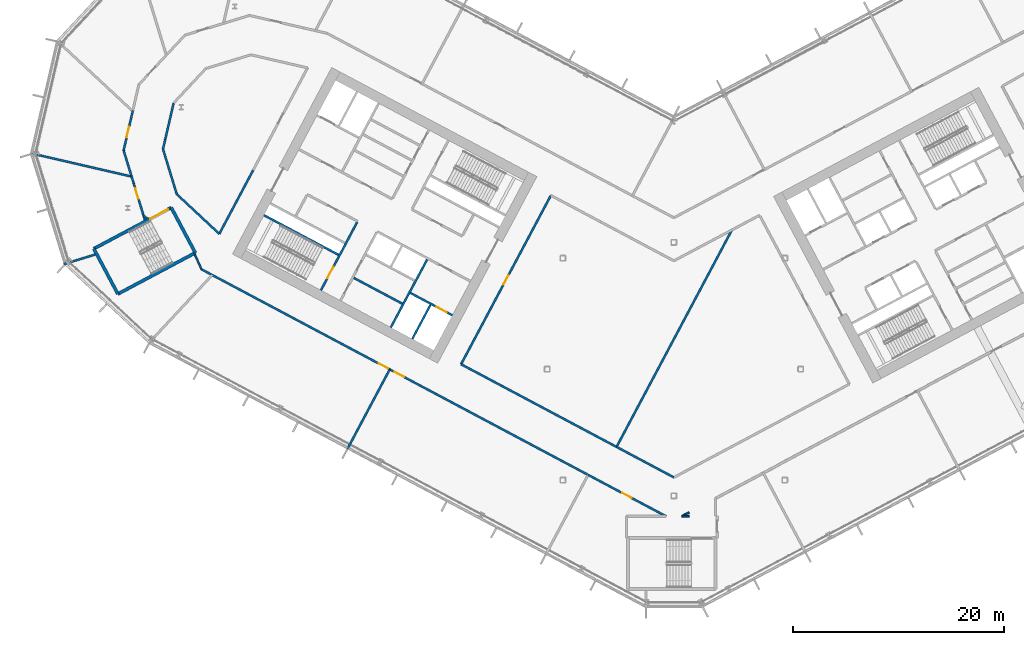
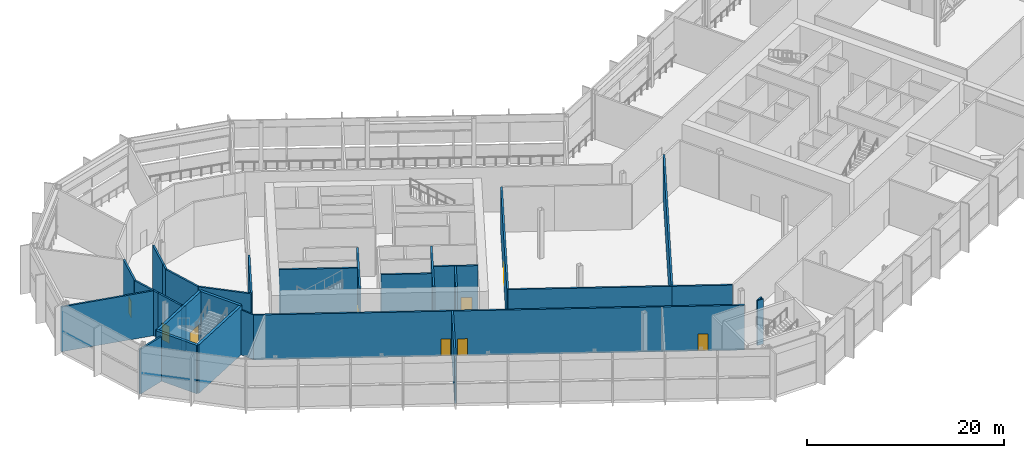
# One storey, part 12 of 33: 32 walls, 9 doors, 9 openings.
"""IFC4 building model written with IfcOpenShell, lengths in metres."""

from ifc_helpers import new_model, si_unit, direction, frame, frame_2d, origin, place, context, subcontext, project, spatial, rectangle, extrude, material, layer, layer_set, type_object, element, fill, save


model = new_model("IFC4")

# Units and contexts
model_context = context("Model", 3, precision=1e-05, world=origin(), true_north=direction((0.0, 1.0)))
body_context = subcontext(model_context, "Body", "Model", "MODEL_VIEW")
ifc_project = project(units=[si_unit("LENGTHUNIT", "METRE"), si_unit("AREAUNIT", "SQUARE_METRE"), si_unit("VOLUMEUNIT", "CUBIC_METRE"), si_unit("PLANEANGLEUNIT", "RADIAN"), si_unit("MASSUNIT", "GRAM", prefix="KILO")], contexts=[model_context])

# Site, building, storey
site_placement = place(None, origin())
site = spatial("IfcSite", under=ifc_project, at=site_placement, CompositionType="ELEMENT")
building_placement = place(site_placement, origin())
building = spatial("IfcBuilding", under=site, at=building_placement, Name="Cormorant Relay Tower", CompositionType="ELEMENT")
storey_placement = place(building_placement, frame((0.0, 0.0, 112.199951171875)))
storey = spatial("IfcBuildingStorey", under=building, at=storey_placement, Name="L22", CompositionType="ELEMENT", Elevation=112.199951171875)

# Walls
ifc_material_1 = material(Name="Concrete 40 MPa", Category="concrete")
ifc_layer_1 = layer(ifc_material_1, 0.199951171875)
ifc_layer_set_1 = layer_set([ifc_layer_1], Name="Core internal wall 200")
wall_type_1 = type_object("IfcWallType", Name="Core internal wall 200", PredefinedType="SOLIDWALL", material=ifc_layer_set_1)
wall_1_placement = place(storey_placement, frame((-25.701904296875, 6.19091796875, 0.0), z_axis=(0.0, 0.0, 1.0), x_axis=(-0.882934506056, 0.469496174655, 0.0)))
element("IfcWall", 1, at=wall_1_placement, inside=storey, type_object=wall_type_1, Name="L22 core A shaft and room wall", PredefinedType="SOLIDWALL", context=body_context, shape_type="SweptSolid", body=[
    extrude(rectangle(XDim=5.199951171875, YDim=0.199951171875, at=frame_2d((2.60009765625, 0.0))), origin(), (0.0, 0.0, 1.0), 6.0),
])
ifc_material_2 = material(Name="Concrete 50 MPa", Category="concrete")
ifc_layer_2 = layer(ifc_material_2, 0.199951171875)
ifc_layer_set_2 = layer_set([ifc_layer_2], Name="Core shaft wall 200")
wall_type_2 = type_object("IfcWallType", Name="Core shaft wall 200", PredefinedType="SHEAR", material=ifc_layer_set_2)
wall_2_placement = place(storey_placement, frame((-23.04296875, 6.07958984375, 0.0), z_axis=(0.0, 0.0, 1.0), x_axis=(-0.469494272526, -0.882935517501, 0.0)))
element("IfcWall", 2, at=wall_2_placement, inside=storey, type_object=wall_type_2, Name="L22 core A shaft wall", PredefinedType="SHEAR", context=body_context, shape_type="SweptSolid", body=[
    extrude(rectangle(XDim=3.64990234375, YDim=0.199951171875, at=frame_2d((1.824951171875, 0.0))), origin(), (0.0, 0.0, 1.0), 6.0),
])
wall_3_placement = place(storey_placement, frame((-23.360107421875, 10.38232421875, 0.0), z_axis=(0.0, 0.0, 1.0), x_axis=(-0.469480409012, -0.88294288918, 0.0)))
element("IfcWall", 3, at=wall_3_placement, inside=storey, type_object=wall_type_2, Name="L22 core A shaft wall", PredefinedType="SHEAR", context=body_context, shape_type="SweptSolid", body=[
    extrude(rectangle(XDim=7.300048828125, YDim=0.199951171875, at=frame_2d((3.64990234375, 0.0))), origin(), (0.0, 0.0, 1.0), 6.0),
])

# Wall, opening, door
wall_4_placement = place(storey_placement, frame((-29.982421875, 13.9033203125, 0.0), z_axis=(0.0, 0.0, 1.0), x_axis=(-0.469454336211, -0.882956752176, 0.0)))
wall_4 = element("IfcWall", 4, at=wall_4_placement, inside=storey, type_object=wall_type_2, Name="L22 core A shaft wall", PredefinedType="SHEAR", context=body_context, shape_type="SweptSolid", body=[
    extrude(rectangle(XDim=7.300048828125, YDim=0.199951171875, at=frame_2d((3.64990234375, 0.0))), origin(), (0.0, 0.0, 1.0), 6.0),
])
opening_1_placement = place(wall_4_placement, frame((4.800048828125, 0.0, 0.0)))
opening_1 = element("IfcOpeningElement", 5, at=opening_1_placement, cuts=wall_4, Name="Opening CDB-030", PredefinedType="OPENING", context=body_context, shape_type="SweptSolid", body=[
    extrude(rectangle(XDim=1.199951171875, YDim=2.10009765625, at=frame_2d((0.60009765625, 1.050048828125))), frame((0.0, 0.10986328125, 0.0), z_axis=(0.0, -1.0, 0.0), x_axis=(1.0, 0.0, 0.0)), (0.0, 0.0, 1.0), 0.219970703125),
])
ifc_material_3 = material(Name="Steel fire door", Category="steel")
door_type_1 = type_object("IfcDoorType", Name="Core stair door 1200x2100", OperationType="SINGLE_SWING_LEFT", PredefinedType="DOOR", material=ifc_material_3)
door_1_placement = place(opening_1_placement, frame((1.199951171875, 0.0, 0.0), z_axis=(0.0, 0.0, 1.0), x_axis=(-1.0, 0.0, 0.0)))
door_1 = element("IfcDoor", 6, at=door_1_placement, inside=storey, type_object=door_type_1, Name="Core stair door 1200x2100", OperationType="SINGLE_SWING_RIGHT", OverallHeight=2.10009765625, OverallWidth=1.199951171875, PredefinedType="DOOR", context=body_context, shape_type="SweptSolid", body=[
    extrude(rectangle(XDim=1.199951171875, YDim=2.10009765625, at=frame_2d((0.60009765625, 1.050048828125))), frame((0.0, 0.02490234375, 0.0), z_axis=(0.0, -1.0, 0.0), x_axis=(1.0, 0.0, 0.0)), (0.0, 0.0, 1.0), 0.050048828125),
])
fill(opening_1, door_1)

wall_5_placement = place(storey_placement, frame((-20.96533203125, 5.088134765625, 0.0), z_axis=(0.0, 0.0, 1.0), x_axis=(-0.882925986334, 0.469512196493, 0.0)))
wall_5 = element("IfcWall", 7, at=wall_5_placement, inside=storey, type_object=wall_type_2, Name="L22 core A shaft wall", PredefinedType="SHEAR", context=body_context, shape_type="SweptSolid", body=[
    extrude(rectangle(XDim=4.5, YDim=0.199951171875, at=frame_2d((2.25, 0.0))), origin(), (0.0, 0.0, 1.0), 6.0),
])
opening_2_placement = place(wall_5_placement, frame((0.60009765625, 0.0, 0.0)))
opening_2 = element("IfcOpeningElement", 8, at=opening_2_placement, cuts=wall_5, Name="Opening LD1-035", PredefinedType="OPENING", context=body_context, shape_type="SweptSolid", body=[
    extrude(rectangle(XDim=1.10009765625, YDim=2.10009765625, at=frame_2d((0.550048828125, 1.050048828125))), frame((0.0, 0.10986328125, 0.0), z_axis=(0.0, -1.0, 0.0), x_axis=(1.0, 0.0, 0.0)), (0.0, 0.0, 1.0), 0.219970703125),
])
ifc_material_4 = material(Name="Stainless steel 316", Category="steel")
door_type_2 = type_object("IfcDoorType", Name="Lift landing door 1100x2100", OperationType="DOUBLE_DOOR_SLIDING", PredefinedType="DOOR", material=ifc_material_4)
door_2_placement = place(opening_2_placement, origin())
door_2 = element("IfcDoor", 9, at=door_2_placement, inside=storey, type_object=door_type_2, Name="FF1 landing door", OperationType="DOUBLE_DOOR_SLIDING", OverallHeight=2.10009765625, OverallWidth=1.10009765625, PredefinedType="DOOR", context=body_context, shape_type="SweptSolid", body=[
    extrude(rectangle(XDim=1.10009765625, YDim=2.10009765625, at=frame_2d((0.550048828125, 1.050048828125))), frame((0.0, 0.02490234375, 0.0), z_axis=(0.0, -1.0, 0.0), x_axis=(1.0, 0.0, 0.0)), (0.0, 0.0, 1.0), 0.050048828125),
])
fill(opening_2, door_2)

# Walls
wall_6_placement = place(storey_placement, frame((-31.7373046875, 10.815673828125, 0.0), z_axis=(0.0, 0.0, 1.0), x_axis=(-0.882940221191, 0.469485426614, 0.0)))
element("IfcWall", 10, at=wall_6_placement, inside=storey, type_object=wall_type_2, Name="L22 core A shaft wall", PredefinedType="SHEAR", context=body_context, shape_type="SweptSolid", body=[
    extrude(rectangle(XDim=8.0, YDim=0.199951171875, at=frame_2d((4.0, 0.0))), origin(), (0.0, 0.0, 1.0), 6.0),
])
ifc_material_5 = material(Name="Fire-rated gypsum board partition")
ifc_layer_3 = layer(ifc_material_5, 0.199951171875)
ifc_layer_set_3 = layer_set([ifc_layer_3], Name="Fire-rated gypsum partition 200")
wall_type_3 = type_object("IfcWallType", Name="Fire-rated gypsum partition 200", PredefinedType="PARTITIONING", material=ifc_layer_set_3)
wall_7_placement = place(storey_placement, frame((-51.324951171875, 18.22412109375, 0.0), z_axis=(0.0, 0.0, 1.0), x_axis=(-0.974366960298, 0.224964500933, 0.0)))
element("IfcWall", 11, at=wall_7_placement, inside=storey, type_object=wall_type_3, Name="wall/L22/part/1", PredefinedType="PARTITIONING", context=body_context, shape_type="SweptSolid", body=[
    extrude(rectangle(XDim=9.849609375, YDim=0.199951171875, at=frame_2d((4.9248046875, 0.0))), origin(), (0.0, 0.0, 1.0), 5.550048828125),
])
wall_8_placement = place(storey_placement, frame((-54.7607421875, 10.847900390625, 0.0), z_axis=(0.0, 0.0, 1.0), x_axis=(-0.956301064033, -0.29238378021, 0.0)))
element("IfcWall", 12, at=wall_8_placement, inside=storey, type_object=wall_type_3, Name="wall/L22/part/3", PredefinedType="PARTITIONING", context=body_context, shape_type="SweptSolid", body=[
    extrude(rectangle(XDim=3.115478515625, YDim=0.199951171875, at=frame_2d((1.5576171875, 0.0))), origin(), (0.0, 0.0, 1.0), 5.550048828125),
])

# Wall, opening, door
wall_9_placement = place(storey_placement, frame((-51.2099609375, 24.467041015625, 0.0), z_axis=(0.0, 0.0, 1.0), x_axis=(-0.225016103529, -0.97435504471, 0.0)))
wall_9 = element("IfcWall", 13, at=wall_9_placement, inside=storey, type_object=wall_type_3, Name="wall/L22/part/4", PredefinedType="PARTITIONING", context=body_context, shape_type="SweptSolid", body=[
    extrude(rectangle(XDim=3.871337890625, YDim=0.199951171875, at=frame_2d((1.935546875, 0.0))), origin(), (0.0, 0.0, 1.0), 5.550048828125),
])
opening_3_placement = place(wall_9_placement, frame((1.592041015625, 0.0, 0.0)))
opening_3 = element("IfcOpeningElement", 14, at=opening_3_placement, cuts=wall_9, Name="Opening FD1-137", PredefinedType="OPENING", context=body_context, shape_type="SweptSolid", body=[
    extrude(rectangle(XDim=1.0, YDim=2.10009765625, at=frame_2d((0.5, 1.050048828125))), frame((0.0, 0.10986328125, 0.0), z_axis=(0.0, -1.0, 0.0), x_axis=(1.0, 0.0, 0.0)), (0.0, 0.0, 1.0), 0.219970703125),
])
ifc_material_6 = material(Name="Fire-rated steel door", Category="steel")
door_type_3 = type_object("IfcDoorType", Name="Fire door 1000 x 2100", OperationType="SINGLE_SWING_LEFT", PredefinedType="DOOR", material=ifc_material_6)
door_3_placement = place(opening_3_placement, frame((1.0, 0.0, 0.0), z_axis=(0.0, 0.0, 1.0), x_axis=(-1.0, 0.0, 0.0)))
door_3 = element("IfcDoor", 15, at=door_3_placement, inside=storey, type_object=door_type_3, Name="door/L22/18", OperationType="SINGLE_SWING_RIGHT", OverallHeight=2.10009765625, OverallWidth=1.0, PredefinedType="DOOR", context=body_context, shape_type="SweptSolid", body=[
    extrude(rectangle(XDim=1.0, YDim=2.10009765625, at=frame_2d((0.5, 1.050048828125))), frame((0.0, 0.02490234375, 0.0), z_axis=(0.0, -1.0, 0.0), x_axis=(1.0, 0.0, 0.0)), (0.0, 0.0, 1.0), 0.050048828125),
])
fill(opening_3, door_3)

# Walls
wall_10_placement = place(storey_placement, frame((-52.0810546875, 20.695068359375, 0.0), z_axis=(0.0, 0.0, 1.0), x_axis=(0.29271968539, -0.956198298359, 0.0)))
element("IfcWall", 16, at=wall_10_placement, inside=storey, type_object=wall_type_3, Name="wall/L22/part/5", PredefinedType="PARTITIONING", context=body_context, shape_type="SweptSolid", body=[
    extrude(rectangle(XDim=2.524658203125, YDim=0.199951171875, at=frame_2d((1.26220703125, 0.0))), origin(), (0.0, 0.0, 1.0), 5.550048828125),
])
wall_11_placement = place(storey_placement, frame((-51.137939453125, 17.613037109375, 0.0), z_axis=(0.0, 0.0, 1.0), x_axis=(-0.292218535599, 0.956351571051, 0.0)))
element("IfcWall", 17, at=wall_11_placement, inside=storey, type_object=wall_type_3, Name="wall/L22/part/6", PredefinedType="PARTITIONING", context=body_context, shape_type="SweptSolid", body=[
    extrude(rectangle(XDim=0.698486328125, YDim=0.199951171875, at=frame_2d((0.34912109375, 0.0))), origin(), (0.0, 0.0, 1.0), 5.550048828125),
])
wall_12_placement = place(storey_placement, frame((-49.843994140625, 14.23681640625, 0.0), z_axis=(0.0, 0.0, 1.0), x_axis=(-0.731249387005, 0.682110206641, 0.0)))
element("IfcWall", 18, at=wall_12_placement, inside=storey, type_object=wall_type_3, Name="wall/L22/part/9", PredefinedType="PARTITIONING", context=body_context, shape_type="SweptSolid", body=[
    extrude(rectangle(XDim=0.501708984375, YDim=0.199951171875, at=frame_2d((0.2509765625, 0.0))), origin(), (0.0, 0.0, 1.0), 5.550048828125),
])

# Wall, opening, door
wall_13_placement = place(storey_placement, frame((-50.069580078125, 14.115478515625, 0.0), z_axis=(0.0, 0.0, 1.0), x_axis=(-0.292133732264, 0.956377479071, 0.0)))
wall_13 = element("IfcWall", 19, at=wall_13_placement, inside=storey, type_object=wall_type_3, Name="wall/L22/part/10", PredefinedType="PARTITIONING", context=body_context, shape_type="SweptSolid", body=[
    extrude(rectangle(XDim=3.656982421875, YDim=0.199951171875, at=frame_2d((1.82861328125, 0.0))), origin(), (0.0, 0.0, 1.0), 5.550048828125),
])
opening_4_placement = place(wall_13_placement, frame((2.114990234375, 0.0, 0.0)))
opening_4 = element("IfcOpeningElement", 20, at=opening_4_placement, cuts=wall_13, Name="Opening FD1-138", PredefinedType="OPENING", context=body_context, shape_type="SweptSolid", body=[
    extrude(rectangle(XDim=1.0, YDim=2.10009765625, at=frame_2d((0.5, 1.050048828125))), frame((0.0, 0.10986328125, 0.0), z_axis=(0.0, -1.0, 0.0), x_axis=(1.0, 0.0, 0.0)), (0.0, 0.0, 1.0), 0.219970703125),
])
door_4_placement = place(opening_4_placement, origin())
door_4 = element("IfcDoor", 21, at=door_4_placement, inside=storey, type_object=door_type_3, Name="door/L22/19", OperationType="SINGLE_SWING_RIGHT", OverallHeight=2.10009765625, OverallWidth=1.0, PredefinedType="DOOR", context=body_context, shape_type="SweptSolid", body=[
    extrude(rectangle(XDim=1.0, YDim=2.10009765625, at=frame_2d((0.5, 1.050048828125))), frame((0.0, 0.02490234375, 0.0), z_axis=(0.0, -1.0, 0.0), x_axis=(1.0, 0.0, 0.0)), (0.0, 0.0, 1.0), 0.050048828125),
])
fill(opening_4, door_4)

# Walls
wall_14_placement = place(storey_placement, frame((-26.89404296875, -0.027099609375, 0.0), z_axis=(0.0, 0.0, 1.0), x_axis=(-0.469572720633, -0.882893798844, 0.0)))
element("IfcWall", 22, at=wall_14_placement, inside=storey, type_object=wall_type_3, Name="wall/L22/part/13", PredefinedType="PARTITIONING", context=body_context, shape_type="SweptSolid", body=[
    extrude(rectangle(XDim=8.550048828125, YDim=0.199951171875, at=frame_2d((4.27490234375, 0.0))), origin(), (0.0, 0.0, 1.0), 5.550048828125),
])
wall_15_placement = place(storey_placement, frame((-48.137939453125, 21.76904296875, 0.0), z_axis=(0.0, 0.0, 1.0), x_axis=(0.224971658891, 0.974365307621, 0.0)))
element("IfcWall", 23, at=wall_15_placement, inside=storey, type_object=wall_type_3, Name="wall/L22/part/14", PredefinedType="PARTITIONING", context=body_context, shape_type="SweptSolid", body=[
    extrude(rectangle(XDim=3.49755859375, YDim=0.199951171875, at=frame_2d((1.748779296875, 0.0))), origin(), (0.0, 0.0, 1.0), 5.550048828125),
])
wall_16_placement = place(storey_placement, frame((-43.02587890625, 12.802001953125, 0.0), z_axis=(0.0, 0.0, 1.0), x_axis=(-0.731412266015, 0.68193555203, 0.0)))
element("IfcWall", 24, at=wall_16_placement, inside=storey, type_object=wall_type_3, Name="wall/L22/part/16", PredefinedType="PARTITIONING", context=body_context, shape_type="SweptSolid", body=[
    extrude(rectangle(XDim=5.501953125, YDim=0.199951171875, at=frame_2d((2.7509765625, 0.0))), origin(), (0.0, 0.0, 1.0), 5.550048828125),
])
wall_17_placement = place(storey_placement, frame((-47.050048828125, 16.553955078125, 0.0), z_axis=(0.0, 0.0, 1.0), x_axis=(-0.292399072869, 0.956296388253, 0.0)))
element("IfcWall", 25, at=wall_17_placement, inside=storey, type_object=wall_type_3, Name="wall/L22/part/17", PredefinedType="PARTITIONING", context=body_context, shape_type="SweptSolid", body=[
    extrude(rectangle(XDim=4.466064453125, YDim=0.199951171875, at=frame_2d((2.23291015625, 0.0))), origin(), (0.0, 0.0, 1.0), 5.550048828125),
])
wall_18_placement = place(storey_placement, frame((-48.35595703125, 20.824951171875, 0.0), z_axis=(0.0, 0.0, 1.0), x_axis=(0.225006720931, 0.974357211466, 0.0)))
element("IfcWall", 26, at=wall_18_placement, inside=storey, type_object=wall_type_3, Name="wall/L22/part/18", PredefinedType="PARTITIONING", context=body_context, shape_type="SweptSolid", body=[
    extrude(rectangle(XDim=0.968994140625, YDim=0.199951171875, at=frame_2d((0.484375, 0.0))), origin(), (0.0, 0.0, 1.0), 5.550048828125),
])

# Wall, openings, doors
wall_19_placement = place(storey_placement, frame((-8.114013671875, -10.012939453125, 0.0), z_axis=(0.0, 0.0, 1.0), x_axis=(-0.882945090575, 0.469476268866, 0.0)))
wall_19 = element("IfcWall", 27, at=wall_19_placement, inside=storey, type_object=wall_type_3, Name="wall/L22/part/23", PredefinedType="PARTITIONING", context=body_context, shape_type="SweptSolid", body=[
    extrude(rectangle(XDim=41.437255859375, YDim=0.199951171875, at=frame_2d((20.71875, 0.0))), origin(), (0.0, 0.0, 1.0), 5.550048828125),
])
opening_5_placement = place(wall_19_placement, frame((21.449951171875, 0.0, 0.0)))
opening_5 = element("IfcOpeningElement", 28, at=opening_5_placement, cuts=wall_19, Name="Opening FD1-140", PredefinedType="OPENING", context=body_context, shape_type="SweptSolid", body=[
    extrude(rectangle(XDim=1.0, YDim=2.10009765625, at=frame_2d((0.5, 1.050048828125))), frame((0.0, 0.10986328125, 0.0), z_axis=(0.0, -1.0, 0.0), x_axis=(1.0, 0.0, 0.0)), (0.0, 0.0, 1.0), 0.219970703125),
])
opening_6_placement = place(wall_19_placement, frame((19.75, 0.0, 0.0)))
opening_6 = element("IfcOpeningElement", 29, at=opening_6_placement, cuts=wall_19, Name="Opening FD1-141", PredefinedType="OPENING", context=body_context, shape_type="SweptSolid", body=[
    extrude(rectangle(XDim=1.0, YDim=2.10009765625, at=frame_2d((0.5, 1.050048828125))), frame((0.0, 0.10986328125, 0.0), z_axis=(0.0, -1.0, 0.0), x_axis=(1.0, 0.0, 0.0)), (0.0, 0.0, 1.0), 0.219970703125),
])
door_5_placement = place(opening_5_placement, origin())
door_5 = element("IfcDoor", 30, at=door_5_placement, inside=storey, type_object=door_type_3, Name="door/L22/20", OperationType="SINGLE_SWING_LEFT", OverallHeight=2.10009765625, OverallWidth=1.0, PredefinedType="DOOR", context=body_context, shape_type="SweptSolid", body=[
    extrude(rectangle(XDim=1.0, YDim=2.10009765625, at=frame_2d((0.5, 1.050048828125))), frame((0.0, 0.02490234375, 0.0), z_axis=(0.0, -1.0, 0.0), x_axis=(1.0, 0.0, 0.0)), (0.0, 0.0, 1.0), 0.050048828125),
])
fill(opening_5, door_5)
door_6_placement = place(opening_6_placement, origin())
door_6 = element("IfcDoor", 31, at=door_6_placement, inside=storey, type_object=door_type_3, Name="door/L22/21", OperationType="SINGLE_SWING_RIGHT", OverallHeight=2.10009765625, OverallWidth=1.0, PredefinedType="DOOR", context=body_context, shape_type="SweptSolid", body=[
    extrude(rectangle(XDim=1.0, YDim=2.10009765625, at=frame_2d((0.5, 1.050048828125))), frame((0.0, 0.02490234375, 0.0), z_axis=(0.0, -1.0, 0.0), x_axis=(1.0, 0.0, 0.0)), (0.0, 0.0, 1.0), 0.050048828125),
])
fill(opening_6, door_6)

# Wall
wall_20_placement = place(storey_placement, frame((-39.825927734375, 18.820068359375, 0.0), z_axis=(0.0, 0.0, 1.0), x_axis=(-0.469481685648, -0.882942210363, 0.0)))
element("IfcWall", 32, at=wall_20_placement, inside=storey, type_object=wall_type_3, Name="wall/L22/part/25", PredefinedType="PARTITIONING", context=body_context, shape_type="SweptSolid", body=[
    extrude(rectangle(XDim=6.81591796875, YDim=0.199951171875, at=frame_2d((3.407958984375, 0.0))), origin(), (0.0, 0.0, 1.0), 5.550048828125),
])

# Wall, opening, door
wall_21_placement = place(storey_placement, frame((-20.14208984375, 0.4599609375, 0.0), z_axis=(0.0, 0.0, 1.0), x_axis=(0.469506937019, 0.882928783136, 0.0)))
wall_21 = element("IfcWall", 33, at=wall_21_placement, inside=storey, type_object=wall_type_3, Name="wall/L22/part/38", PredefinedType="PARTITIONING", context=body_context, shape_type="SweptSolid", body=[
    extrude(rectangle(XDim=18.099853515625, YDim=0.199951171875, at=frame_2d((9.0498046875, 0.0))), origin(), (0.0, 0.0, 1.0), 5.550048828125),
])
opening_7_placement = place(wall_21_placement, frame((8.550048828125, 0.0, 0.0)))
opening_7 = element("IfcOpeningElement", 34, at=opening_7_placement, cuts=wall_21, Name="Opening FD1-144", PredefinedType="OPENING", context=body_context, shape_type="SweptSolid", body=[
    extrude(rectangle(XDim=1.0, YDim=2.10009765625, at=frame_2d((0.5, 1.050048828125))), frame((0.0, 0.10986328125, 0.0), z_axis=(0.0, -1.0, 0.0), x_axis=(1.0, 0.0, 0.0)), (0.0, 0.0, 1.0), 0.219970703125),
])
door_7_placement = place(opening_7_placement, frame((1.0, 0.0, 0.0), z_axis=(0.0, 0.0, 1.0), x_axis=(-1.0, 0.0, 0.0)))
door_7 = element("IfcDoor", 35, at=door_7_placement, inside=storey, type_object=door_type_3, Name="door/L22/3", OperationType="SINGLE_SWING_LEFT", OverallHeight=2.10009765625, OverallWidth=1.0, PredefinedType="DOOR", context=body_context, shape_type="SweptSolid", body=[
    extrude(rectangle(XDim=1.0, YDim=2.10009765625, at=frame_2d((0.5, 1.050048828125))), frame((0.0, 0.02490234375, 0.0), z_axis=(0.0, -1.0, 0.0), x_axis=(1.0, 0.0, 0.0)), (0.0, 0.0, 1.0), 0.050048828125),
])
fill(opening_7, door_7)

# Wall
wall_22_placement = place(storey_placement, frame((-5.427001953125, -7.364013671875, 0.0), z_axis=(0.0, 0.0, 1.0), x_axis=(-0.882951980563, 0.469463310622, 0.0)))
element("IfcWall", 36, at=wall_22_placement, inside=storey, type_object=wall_type_3, Name="wall/L22/part/40", PredefinedType="PARTITIONING", context=body_context, shape_type="SweptSolid", body=[
    extrude(rectangle(XDim=16.665771484375, YDim=0.199951171875, at=frame_2d((8.3330078125, 0.0))), origin(), (0.0, 0.0, 1.0), 5.550048828125),
])

# Wall, opening, door
wall_23_placement = place(storey_placement, frame((-8.114013671875, -10.012939453125, 0.0), z_axis=(0.0, 0.0, 1.0), x_axis=(0.883132384784, -0.469123854591, 0.0)))
wall_23 = element("IfcWall", 37, at=wall_23_placement, inside=storey, type_object=wall_type_3, Name="wall/L22/part/42", PredefinedType="PARTITIONING", context=body_context, shape_type="SweptSolid", body=[
    extrude(rectangle(XDim=8.345458984375, YDim=0.199951171875, at=frame_2d((4.1728515625, 0.0))), origin(), (0.0, 0.0, 1.0), 5.550048828125),
])
opening_8_placement = place(wall_23_placement, frame((3.64990234375, 0.0, 0.0)))
opening_8 = element("IfcOpeningElement", 38, at=opening_8_placement, cuts=wall_23, Name="Opening FD1-142", PredefinedType="OPENING", context=body_context, shape_type="SweptSolid", body=[
    extrude(rectangle(XDim=1.0, YDim=2.10009765625, at=frame_2d((0.5, 1.050048828125))), frame((0.0, 0.10986328125, 0.0), z_axis=(0.0, -1.0, 0.0), x_axis=(1.0, 0.0, 0.0)), (0.0, 0.0, 1.0), 0.219970703125),
])
door_8_placement = place(opening_8_placement, frame((1.0, 0.0, 0.0), z_axis=(0.0, 0.0, 1.0), x_axis=(-1.0, 0.0, 0.0)))
door_8 = element("IfcDoor", 39, at=door_8_placement, inside=storey, type_object=door_type_3, Name="door/L22/22", OperationType="SINGLE_SWING_RIGHT", OverallHeight=2.10009765625, OverallWidth=1.0, PredefinedType="DOOR", context=body_context, shape_type="SweptSolid", body=[
    extrude(rectangle(XDim=1.0, YDim=2.10009765625, at=frame_2d((0.5, 1.050048828125))), frame((0.0, 0.02490234375, 0.0), z_axis=(0.0, -1.0, 0.0), x_axis=(1.0, 0.0, 0.0)), (0.0, 0.0, 1.0), 0.050048828125),
])
fill(opening_8, door_8)

# Walls
wall_24_placement = place(storey_placement, frame((0.0, -10.25, 0.0), z_axis=(0.0, 0.0, 1.0), x_axis=(-0.882920737254, 0.469522067348, 0.0)))
element("IfcWall", 40, at=wall_24_placement, inside=storey, type_object=wall_type_3, Name="wall/L22/part/47", PredefinedType="PARTITIONING", context=body_context, shape_type="SweptSolid", body=[
    extrude(rectangle(XDim=6.146728515625, YDim=0.199951171875, at=frame_2d((3.0732421875, 0.0))), origin(), (0.0, 0.0, 1.0), 5.550048828125),
])
wall_25_placement = place(storey_placement, frame((-5.427001953125, -7.364013671875, 0.0), z_axis=(0.0, 0.0, 1.0), x_axis=(0.469484998898, 0.88294044862, 0.0)))
element("IfcWall", 41, at=wall_25_placement, inside=storey, type_object=wall_type_3, Name="wall/L22/part/48", PredefinedType="PARTITIONING", context=body_context, shape_type="SweptSolid", body=[
    extrude(rectangle(XDim=23.255126953125, YDim=0.199951171875, at=frame_2d((11.62744140625, 0.0))), origin(), (0.0, 0.0, 1.0), 5.550048828125),
])
ifc_material_7 = material(Name="Gypsum board partition")
ifc_layer_4 = layer(ifc_material_7, 0.14990234375)
ifc_layer_set_4 = layer_set([ifc_layer_4], Name="Gypsum board partition 150")
wall_type_4 = type_object("IfcWallType", Name="Gypsum board partition 150", PredefinedType="PARTITIONING", material=ifc_layer_set_4)
wall_26_placement = place(storey_placement, frame((-44.700927734375, 9.44091796875, 0.0), z_axis=(0.0, 0.0, 1.0), x_axis=(-0.421636193094, 0.906765085716, 0.0)))
element("IfcWall", 42, at=wall_26_placement, inside=storey, type_object=wall_type_4, Name="wall/L22/part/24", PredefinedType="PARTITIONING", context=body_context, shape_type="SweptSolid", body=[
    extrude(rectangle(XDim=1.5302734375, YDim=0.14990234375, at=frame_2d((0.76513671875, 0.0))), origin(), (0.0, 0.0, 1.0), 5.550048828125),
])
wall_27_placement = place(storey_placement, frame((1.449951171875, -13.555908203125, 0.0), z_axis=(0.0, 0.0, 1.0), x_axis=(-0.882834022315, -0.469685095616, 0.0)))
element("IfcWall", 43, at=wall_27_placement, inside=storey, type_object=wall_type_4, Name="wall/L22/part/87", PredefinedType="PARTITIONING", context=body_context, shape_type="SweptSolid", body=[
    extrude(rectangle(XDim=0.785888671875, YDim=0.14990234375, at=frame_2d((0.39306640625, 0.0))), origin(), (0.0, 0.0, 1.0), 5.550048828125),
])
wall_28_placement = place(storey_placement, frame((0.756103515625, -13.925048828125, 0.0), z_axis=(0.0, 0.0, 1.0), x_axis=(1.0, 0.0, 0.0)))
element("IfcWall", 44, at=wall_28_placement, inside=storey, type_object=wall_type_4, Name="wall/L22/part/88", PredefinedType="PARTITIONING", context=body_context, shape_type="SweptSolid", body=[
    extrude(rectangle(XDim=0.69384765625, YDim=0.14990234375, at=frame_2d((0.346923828125, 0.0))), origin(), (0.0, 0.0, 1.0), 5.550048828125),
])
ifc_material_8 = material(Name="Concrete 50 MPa", Category="concrete")
ifc_layer_5 = layer(ifc_material_8, 0.300048828125)
ifc_layer_set_5 = layer_set([ifc_layer_5], Name="Remote stair wall 300")
wall_type_5 = type_object("IfcWallType", Name="Remote stair wall 300", PredefinedType="SHEAR", material=ifc_layer_set_5)
wall_29_placement = place(storey_placement, frame((-47.57421875, 15.28955078125, 0.0), z_axis=(0.0, 0.0, 1.0), x_axis=(0.469443498566, -0.882962514297, 0.0)))
element("IfcWall", 45, at=wall_29_placement, inside=storey, type_object=wall_type_5, Name="L22 exit stair RP1 wall", PredefinedType="SHEAR", context=body_context, shape_type="SweptSolid", body=[
    extrude(rectangle(XDim=4.85009765625, YDim=0.300048828125, at=frame_2d((2.425048828125, 0.0))), origin(), (0.0, 0.0, 1.0), 6.0),
])
wall_30_placement = place(storey_placement, frame((-45.29736328125, 11.007080078125, 0.0), z_axis=(0.0, 0.0, 1.0), x_axis=(-0.882951519127, -0.469464178475, 0.0)))
element("IfcWall", 46, at=wall_30_placement, inside=storey, type_object=wall_type_5, Name="L22 exit stair RP1 wall", PredefinedType="SHEAR", context=body_context, shape_type="SweptSolid", body=[
    extrude(rectangle(XDim=8.2998046875, YDim=0.300048828125, at=frame_2d((4.14990234375, 0.0))), origin(), (0.0, 0.0, 1.0), 6.0),
])
wall_31_placement = place(storey_placement, frame((-52.625732421875, 7.110595703125, 0.0), z_axis=(0.0, 0.0, 1.0), x_axis=(-0.469464364128, 0.882951420416, 0.0)))
element("IfcWall", 47, at=wall_31_placement, inside=storey, type_object=wall_type_5, Name="L22 exit stair RP1 wall", PredefinedType="SHEAR", context=body_context, shape_type="SweptSolid", body=[
    extrude(rectangle(XDim=4.849853515625, YDim=0.300048828125, at=frame_2d((2.4248046875, 0.0))), origin(), (0.0, 0.0, 1.0), 6.0),
])

# Wall, opening, door
wall_32_placement = place(storey_placement, frame((-54.902587890625, 11.392822265625, 0.0), z_axis=(0.0, 0.0, 1.0), x_axis=(0.882939326045, 0.469487110071, 0.0)))
wall_32 = element("IfcWall", 48, at=wall_32_placement, inside=storey, type_object=wall_type_5, Name="L22 exit stair RP1 wall", PredefinedType="SHEAR", context=body_context, shape_type="SweptSolid", body=[
    extrude(rectangle(XDim=8.300048828125, YDim=0.300048828125, at=frame_2d((4.14990234375, 0.0))), origin(), (0.0, 0.0, 1.0), 6.0),
])
opening_9_placement = place(wall_32_placement, frame((6.050048828125, 0.0, 0.0)))
opening_9 = element("IfcOpeningElement", 49, at=opening_9_placement, cuts=wall_32, Name="Opening CDE-011", PredefinedType="OPENING", context=body_context, shape_type="SweptSolid", body=[
    extrude(rectangle(XDim=1.89990234375, YDim=2.10009765625, at=frame_2d((0.949951171875, 1.050048828125))), frame((0.0, 0.159912109375, 0.0), z_axis=(0.0, -1.0, 0.0), x_axis=(1.0, 0.0, 0.0)), (0.0, 0.0, 1.0), 0.320068359375),
])
ifc_material_9 = material(Name="Steel fire door", Category="steel")
door_type_4 = type_object("IfcDoorType", Name="Remote stair door 1900x2100", OperationType="DOUBLE_DOOR_SINGLE_SWING", PredefinedType="DOOR", material=ifc_material_9)
door_9_placement = place(opening_9_placement, frame((1.89990234375, 0.0, 0.0), z_axis=(0.0, 0.0, 1.0), x_axis=(-1.0, 0.0, 0.0)))
door_9 = element("IfcDoor", 50, at=door_9_placement, inside=storey, type_object=door_type_4, Name="Exit stair RP1 door", OperationType="DOUBLE_DOOR_SINGLE_SWING", OverallHeight=2.10009765625, OverallWidth=1.89990234375, PredefinedType="DOOR", context=body_context, shape_type="SweptSolid", body=[
    extrude(rectangle(XDim=1.89990234375, YDim=2.10009765625, at=frame_2d((0.949951171875, 1.050048828125))), frame((0.0, 0.02490234375, 0.0), z_axis=(0.0, -1.0, 0.0), x_axis=(1.0, 0.0, 0.0)), (0.0, 0.0, 1.0), 0.050048828125),
])
fill(opening_9, door_9)

save(model, "model.ifc")
